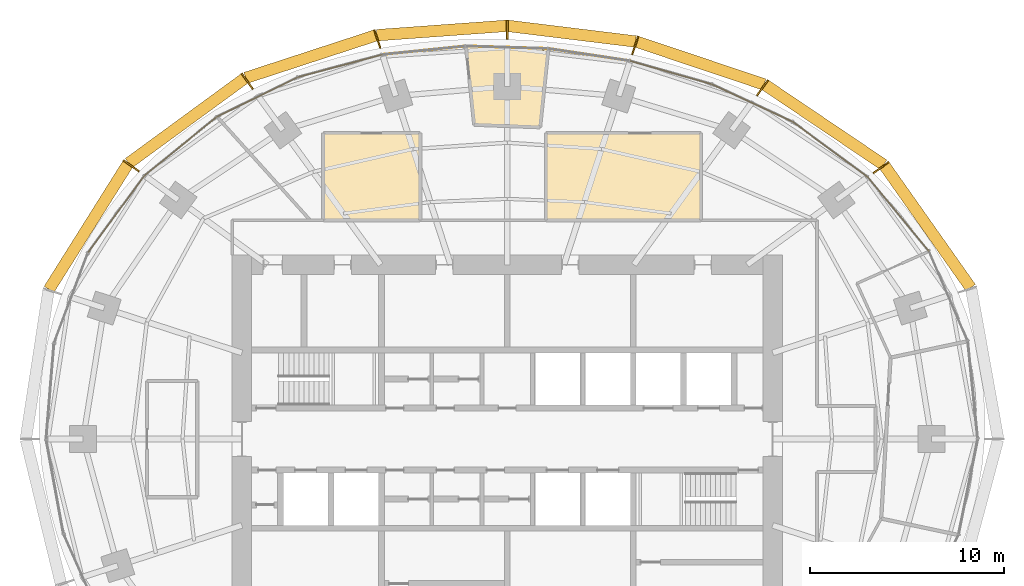
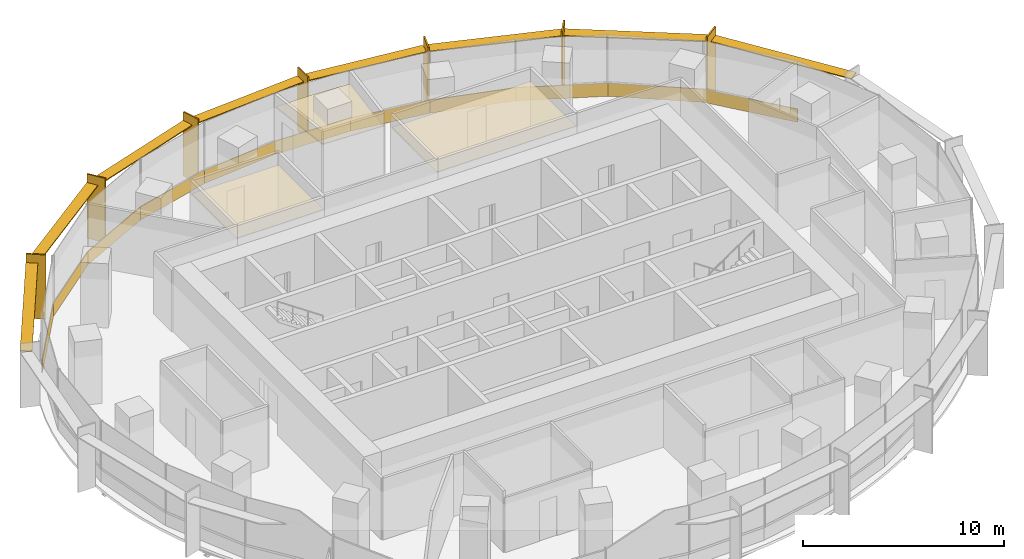
# One storey, part 15 of 15: 15 shading devices, 14 coverings.
"""IFC4 building model written with IfcOpenShell, lengths in metres."""

from ifc_helpers import new_model, si_unit, direction, frame, origin, origin_2d, place, context, subcontext, project, spatial, polyline, rectangle, outline, extrude, material, layer, layer_set, type_object, element, save


model = new_model("IFC4")

# Units and contexts
model_context = context("Model", 3, precision=1e-05, world=origin(), true_north=direction((0.0, 1.0)))
body_context = subcontext(model_context, "Body", "Model", "MODEL_VIEW")
ifc_project = project(units=[si_unit("LENGTHUNIT", "METRE"), si_unit("AREAUNIT", "SQUARE_METRE"), si_unit("VOLUMEUNIT", "CUBIC_METRE"), si_unit("PLANEANGLEUNIT", "RADIAN"), si_unit("MASSUNIT", "GRAM", prefix="KILO")], contexts=[model_context])

# Site, building, storey
site_placement = place(None, origin())
site = spatial("IfcSite", under=ifc_project, at=site_placement, CompositionType="ELEMENT")
building_placement = place(site_placement, origin())
building = spatial("IfcBuilding", under=site, at=building_placement, Name="Marramba Exchange Tower", CompositionType="ELEMENT")
storey_placement = place(building_placement, frame((0.0, 0.0, 211.10009765625)))
storey = spatial("IfcBuildingStorey", under=building, at=storey_placement, Name="L51", CompositionType="ELEMENT", Elevation=211.10009765625)

# Shading devices
ifc_material_1 = material(Name="Aluminium blade, timber-look bronze finish", Category="wood")
ifc_layer_1 = layer(ifc_material_1, 0.080078125)
ifc_layer_set_1 = layer_set([ifc_layer_1], Name="Floor-edge blade 1000x80")
shading_device_type_1 = type_object("IfcShadingDeviceType", Name="Floor-edge blade 1000x80", PredefinedType="USERDEFINED", material=ifc_layer_set_1)
for number, where, z_axis, x_axis, name in (
    (1, (19.298828125, 14.021484375, -0.16015625), (0.0, 0.0, 1.0), (0.809016994375, 0.587785252292, 0.0), "Floor-edge blade FB1 L51 TC03"),
    (2, (13.176513671875, 18.135986328125, -0.16015625), (0.0, 0.0, 1.0), (0.587785252292, 0.809016994375, 0.0), "Floor-edge blade FB1 L51 TC04"),
    (3, (6.605712890625, 20.330078125, -0.16015625), (0.0, 0.0, 1.0), (0.309016994375, 0.951056516295, 0.0), "Floor-edge blade FB1 L51 TC05"),
    (4, (0.0, 21.13623046875, -0.16015625), (0.0, 0.0, 1.0), (0.0, 1.0, 0.0), "Floor-edge blade FB1 L51 TC06"),
    (5, (-6.7119140625, 20.657470703125, -0.16015625), (0.0, 0.0, 1.0), (-0.309016994375, 0.951056516295, 0.0), "Floor-edge blade FB1 L51 TC07"),
    (6, (-13.422607421875, 18.474609375, -0.16015625), (0.0, 0.0, 1.0), (-0.587785252292, 0.809016994375, 0.0), "Floor-edge blade FB1 L51 TC08"),
    (7, (-19.4140625, 14.105224609375, -0.16015625), (0.0, 0.0, 1.0), (-0.809016994375, 0.587785252292, 0.0), "Floor-edge blade FB1 L51 TC09"),
):
    element("IfcShadingDevice", number, at=place(storey_placement, frame(where, z_axis=z_axis, x_axis=x_axis)), inside=storey, type_object=shading_device_type_1, Name=name, ObjectType="FIN", PredefinedType="USERDEFINED", context=body_context, shape_type="SweptSolid", body=[
        extrude(rectangle(XDim=1.0, YDim=0.080078125, at=origin_2d()), origin(), (0.0, 0.0, 1.0), 3.89990234375),
    ])
ifc_material_2 = material(Name="Aluminium sunshade, bronze anodised", Category="aluminium")
ifc_layer_2 = layer(ifc_material_2, 0.06005859375)
ifc_layer_set_2 = layer_set([ifc_layer_2], Name="SUNSHADE blade 600x60")
shading_device_type_2 = type_object("IfcShadingDeviceType", Name="SUNSHADE blade 600x60", PredefinedType="USERDEFINED", material=ifc_layer_set_2)
shading_device_1_placement = place(storey_placement, frame((21.703857421875, 10.9599609375, 3.159912109375), z_axis=(0.0, 0.0, 1.0), x_axis=(-0.576555118613, 0.81705825692, 0.0)))
element("IfcShadingDevice", 8, at=shading_device_1_placement, inside=storey, type_object=shading_device_type_2, Name="Sunshade SS1 L51 bay 02", ObjectType="SUNSHADE", PredefinedType="USERDEFINED", context=body_context, shape_type="SweptSolid", body=[
    extrude(rectangle(XDim=7.70166015625, YDim=0.60009765625, at=origin_2d()), origin(), (0.0, 0.0, 1.0), 0.06005859375),
])
shading_device_2_placement = place(storey_placement, frame((16.37744140625, 16.218505859375, 3.159912109375), z_axis=(0.0, 0.0, 1.0), x_axis=(-0.829071447151, 0.559142679035, 0.0)))
element("IfcShadingDevice", 9, at=shading_device_2_placement, inside=storey, type_object=shading_device_type_2, Name="Sunshade SS1 L51 bay 03", ObjectType="SUNSHADE", PredefinedType="USERDEFINED", context=body_context, shape_type="SweptSolid", body=[
    extrude(rectangle(XDim=7.35791015625, YDim=0.60009765625, at=origin_2d()), origin(), (0.0, 0.0, 1.0), 0.06005859375),
])
shading_device_3_placement = place(storey_placement, frame((9.980712890625, 19.4091796875, 3.159912109375), z_axis=(0.0, 0.0, 1.0), x_axis=(-0.948096437223, 0.317982933073, 0.0)))
element("IfcShadingDevice", 10, at=shading_device_3_placement, inside=storey, type_object=shading_device_type_2, Name="Sunshade SS1 L51 bay 04", ObjectType="SUNSHADE", PredefinedType="USERDEFINED", context=body_context, shape_type="SweptSolid", body=[
    extrude(rectangle(XDim=6.909423828125, YDim=0.60009765625, at=origin_2d()), origin(), (0.0, 0.0, 1.0), 0.06005859375),
])
shading_device_4_placement = place(storey_placement, frame((3.333740234375, 20.92822265625, 3.159912109375), z_axis=(0.0, 0.0, 1.0), x_axis=(-0.992595256045, 0.121468751853, 0.0)))
element("IfcShadingDevice", 11, at=shading_device_4_placement, inside=storey, type_object=shading_device_type_2, Name="Sunshade SS1 L51 bay 05", ObjectType="SUNSHADE", PredefinedType="USERDEFINED", context=body_context, shape_type="SweptSolid", body=[
    extrude(rectangle(XDim=6.63720703125, YDim=0.60009765625, at=origin_2d()), origin(), (0.0, 0.0, 1.0), 0.06005859375),
])
shading_device_5_placement = place(storey_placement, frame((-3.386962890625, 21.092041015625, 3.159912109375), z_axis=(0.0, 0.0, 1.0), x_axis=(-0.997407641713, -0.071958295234, 0.0)))
element("IfcShadingDevice", 12, at=shading_device_5_placement, inside=storey, type_object=shading_device_type_2, Name="Sunshade SS1 L51 bay 06", ObjectType="SUNSHADE", PredefinedType="USERDEFINED", context=body_context, shape_type="SweptSolid", body=[
    extrude(rectangle(XDim=6.71142578125, YDim=0.60009765625, at=origin_2d()), origin(), (0.0, 0.0, 1.0), 0.06005859375),
])
shading_device_6_placement = place(storey_placement, frame((-10.156982421875, 19.741943359375, 3.159912109375), z_axis=(0.0, 0.0, 1.0), x_axis=(-0.950537602937, -0.310609506297, 0.0)))
element("IfcShadingDevice", 13, at=shading_device_6_placement, inside=storey, type_object=shading_device_type_2, Name="Sunshade SS1 L51 bay 07", ObjectType="SUNSHADE", PredefinedType="USERDEFINED", context=body_context, shape_type="SweptSolid", body=[
    extrude(rectangle(XDim=7.03857421875, YDim=0.60009765625, at=origin_2d()), origin(), (0.0, 0.0, 1.0), 0.06005859375),
])
shading_device_7_placement = place(storey_placement, frame((-16.55810546875, 16.4296875, 3.159912109375), z_axis=(0.0, 0.0, 1.0), x_axis=(-0.80719390073, -0.59028637679, 0.0)))
element("IfcShadingDevice", 14, at=shading_device_7_placement, inside=storey, type_object=shading_device_type_2, Name="Sunshade SS1 L51 bay 08", ObjectType="SUNSHADE", PredefinedType="USERDEFINED", context=body_context, shape_type="SweptSolid", body=[
    extrude(rectangle(XDim=7.3974609375, YDim=0.60009765625, at=origin_2d()), origin(), (0.0, 0.0, 1.0), 0.06005859375),
])
shading_device_8_placement = place(storey_placement, frame((-21.62744140625, 10.958251953125, 3.159912109375), z_axis=(0.0, 0.0, 1.0), x_axis=(-0.532082259983, -0.846692664792, 0.0)))
element("IfcShadingDevice", 15, at=shading_device_8_placement, inside=storey, type_object=shading_device_type_2, Name="Sunshade SS1 L51 bay 09", ObjectType="SUNSHADE", PredefinedType="USERDEFINED", context=body_context, shape_type="SweptSolid", body=[
    extrude(rectangle(XDim=7.631103515625, YDim=0.60009765625, at=origin_2d()), origin(), (0.0, 0.0, 1.0), 0.06005859375),
])

# Coverings
ifc_material_3 = material(Name="Aluminium spandrel panel, bronze anodised, insulated", Category="aluminium")
ifc_layer_3 = layer(ifc_material_3, 0.050048828125)
ifc_layer_set_3 = layer_set([ifc_layer_3], Name="Spandrel panel 800")
covering_type_1 = type_object("IfcCoveringType", Name="Spandrel panel 800", PredefinedType="CLADDING", material=ifc_layer_set_3)
covering_1_placement = place(storey_placement, frame((20.193603515625, 11.608642578125, 0.0), z_axis=(0.0, 0.0, 1.0), x_axis=(-0.637350224586, 0.770574260678, 0.0)))
element("IfcCovering", 16, at=covering_1_placement, inside=storey, type_object=covering_type_1, Name="Spandrel panel SP1 L51 F03", PredefinedType="CLADDING", context=body_context, shape_type="SweptSolid", body=[
    extrude(rectangle(XDim=4.9658203125, YDim=0.050048828125, at=origin_2d()), origin(), (0.0, 0.0, 1.0), 0.800048828125),
])
covering_2_placement = place(storey_placement, frame((16.677001953125, 14.94775390625, 0.0), z_axis=(0.0, 0.0, 1.0), x_axis=(-0.804877256733, 0.593441321104, 0.0)))
element("IfcCovering", 17, at=covering_2_placement, inside=storey, type_object=covering_type_1, Name="Spandrel panel SP1 L51 F04", PredefinedType="CLADDING", context=body_context, shape_type="SweptSolid", body=[
    extrude(rectangle(XDim=4.805908203125, YDim=0.050048828125, at=origin_2d()), origin(), (0.0, 0.0, 1.0), 0.800048828125),
])
covering_3_placement = place(storey_placement, frame((12.65869140625, 17.344482421875, 0.0), z_axis=(0.0, 0.0, 1.0), x_axis=(-0.906533903661, 0.422133014005, 0.0)))
element("IfcCovering", 18, at=covering_3_placement, inside=storey, type_object=covering_type_1, Name="Spandrel panel SP1 L51 F05", PredefinedType="CLADDING", context=body_context, shape_type="SweptSolid", body=[
    extrude(rectangle(XDim=4.5986328125, YDim=0.050048828125, at=origin_2d()), origin(), (0.0, 0.0, 1.0), 0.800048828125),
])
covering_4_placement = place(storey_placement, frame((8.45849609375, 18.91845703125, 0.0), z_axis=(0.0, 0.0, 1.0), x_axis=(-0.961658952783, 0.274248169607, 0.0)))
element("IfcCovering", 19, at=covering_4_placement, inside=storey, type_object=covering_type_1, Name="Spandrel panel SP1 L51 F06", PredefinedType="CLADDING", context=body_context, shape_type="SweptSolid", body=[
    extrude(rectangle(XDim=4.39990234375, YDim=0.050048828125, at=origin_2d()), origin(), (0.0, 0.0, 1.0), 0.800048828125),
])
covering_5_placement = place(storey_placement, frame((4.230712890625, 19.839599609375, 0.0), z_axis=(0.0, 0.0, 1.0), x_axis=(-0.988868065308, 0.148794991224, 0.0)))
element("IfcCovering", 20, at=covering_5_placement, inside=storey, type_object=covering_type_1, Name="Spandrel panel SP1 L51 F07", PredefinedType="CLADDING", context=body_context, shape_type="SweptSolid", body=[
    extrude(rectangle(XDim=4.27197265625, YDim=0.050048828125, at=origin_2d()), origin(), (0.0, 0.0, 1.0), 0.800048828125),
])
covering_6_placement = place(storey_placement, frame((-0.0068359375, 20.221923828125, 0.0), z_axis=(0.0, 0.0, 1.0), x_axis=(-0.999537999985, 0.030393857689, 0.0)))
element("IfcCovering", 21, at=covering_6_placement, inside=storey, type_object=covering_type_1, Name="Spandrel panel SP1 L51 F08", PredefinedType="CLADDING", context=body_context, shape_type="SweptSolid", body=[
    extrude(rectangle(XDim=4.252685546875, YDim=0.050048828125, at=origin_2d()), origin(), (0.0, 0.0, 1.0), 0.800048828125),
])
covering_7_placement = place(storey_placement, frame((-4.290771484375, 20.06787109375, 0.0), z_axis=(0.0, 0.0, 1.0), x_axis=(-0.994900357732, -0.10086266993, 0.0)))
element("IfcCovering", 22, at=covering_7_placement, inside=storey, type_object=covering_type_1, Name="Spandrel panel SP1 L51 F09", PredefinedType="CLADDING", context=body_context, shape_type="SweptSolid", body=[
    extrude(rectangle(XDim=4.33935546875, YDim=0.050048828125, at=origin_2d()), origin(), (0.0, 0.0, 1.0), 0.800048828125),
])
covering_8_placement = place(storey_placement, frame((-8.620361328125, 19.27001953125, 0.0), z_axis=(0.0, 0.0, 1.0), x_axis=(-0.966240651433, -0.257641230237, 0.0)))
element("IfcCovering", 23, at=covering_8_placement, inside=storey, type_object=covering_type_1, Name="Spandrel panel SP1 L51 F10", PredefinedType="CLADDING", context=body_context, shape_type="SweptSolid", body=[
    extrude(rectangle(XDim=4.49365234375, YDim=0.050048828125, at=origin_2d()), origin(), (0.0, 0.0, 1.0), 0.800048828125),
])
covering_9_placement = place(storey_placement, frame((-12.88818359375, 17.666748046875, 0.0), z_axis=(0.0, 0.0, 1.0), x_axis=(-0.898500520314, -0.438972453572, 0.0)))
element("IfcCovering", 24, at=covering_9_placement, inside=storey, type_object=covering_type_1, Name="Spandrel panel SP1 L51 F11", PredefinedType="CLADDING", context=body_context, shape_type="SweptSolid", body=[
    extrude(rectangle(XDim=4.667236328125, YDim=0.050048828125, at=origin_2d()), origin(), (0.0, 0.0, 1.0), 0.800048828125),
])
covering_10_placement = place(storey_placement, frame((-16.855712890625, 15.1240234375, 0.0), z_axis=(0.0, 0.0, 1.0), x_axis=(-0.776432169123, -0.630200830491, 0.0)))
element("IfcCovering", 25, at=covering_10_placement, inside=storey, type_object=covering_type_1, Name="Spandrel panel SP1 L51 F12", PredefinedType="CLADDING", context=body_context, shape_type="SweptSolid", body=[
    extrude(rectangle(XDim=4.81884765625, YDim=0.050048828125, at=origin_2d()), origin(), (0.0, 0.0, 1.0), 0.800048828125),
])
covering_11_placement = place(storey_placement, frame((-20.184326171875, 11.62060546875, 0.0), z_axis=(0.0, 0.0, 1.0), x_axis=(-0.591962919465, -0.805965198987, 0.0)))
element("IfcCovering", 26, at=covering_11_placement, inside=storey, type_object=covering_type_1, Name="Spandrel panel SP1 L51 F13", PredefinedType="CLADDING", context=body_context, shape_type="SweptSolid", body=[
    extrude(rectangle(XDim=4.925537109375, YDim=0.050048828125, at=origin_2d()), origin(), (0.0, 0.0, 1.0), 0.800048828125),
])
ifc_material_4 = material(Name="Mineral fibre ceiling tiles", Category="gypsum")
ifc_layer_4 = layer(ifc_material_4, 0.02001953125)
ifc_layer_set_4 = layer_set([ifc_layer_4], Name="Suspended ceiling 20")
covering_type_2 = type_object("IfcCoveringType", Name="Suspended ceiling 20", PredefinedType="CEILING", material=ifc_layer_set_4)
covering_12_placement = place(storey_placement, frame((0.0, 0.0, 2.89990234375)))
element("IfcCovering", 27, at=covering_12_placement, inside=storey, type_object=covering_type_2, Name="Ceiling CL1 L51 Quiet Room 1", PredefinedType="CEILING", context=body_context, shape_type="SweptSolid", body=[
    extrude(outline(polyline([(-1.059814453125, 20.22314453125), (0.0, 20.206298828125), (1.056396484375, 20.15771484375), (1.982666015625, 20.08740234375), (2.1103515625, 20.077880859375), (1.692138671875, 16.099609375), (-1.705810546875, 16.22900390625), (-2.123779296875, 20.20703125), (-1.059814453125, 20.22314453125)])), origin(), (0.0, 0.0, 1.0), 0.02001953125),
])
covering_13_placement = place(storey_placement, frame((0.0, 0.0, 2.89990234375)))
element("IfcCovering", 28, at=covering_13_placement, inside=storey, type_object=covering_type_2, Name="Ceiling CL1 L51 Meeting Room 2", PredefinedType="CEILING", context=body_context, shape_type="SweptSolid", body=[
    extrude(outline(polyline([(10.0, 11.300048828125), (2.0, 11.300048828125), (2.0, 15.800048828125), (10.0, 15.800048828125), (10.0, 11.300048828125)])), origin(), (0.0, 0.0, 1.0), 0.02001953125),
])
covering_14_placement = place(storey_placement, frame((0.0, 0.0, 2.89990234375)))
element("IfcCovering", 29, at=covering_14_placement, inside=storey, type_object=covering_type_2, Name="Ceiling CL1 L51 Interview Room", PredefinedType="CEILING", context=body_context, shape_type="SweptSolid", body=[
    extrude(outline(polyline([(-4.5, 11.300048828125), (-9.5, 11.300048828125), (-9.5, 15.800048828125), (-4.5, 15.800048828125), (-4.5, 11.300048828125)])), origin(), (0.0, 0.0, 1.0), 0.02001953125),
])

save(model, "model.ifc")
